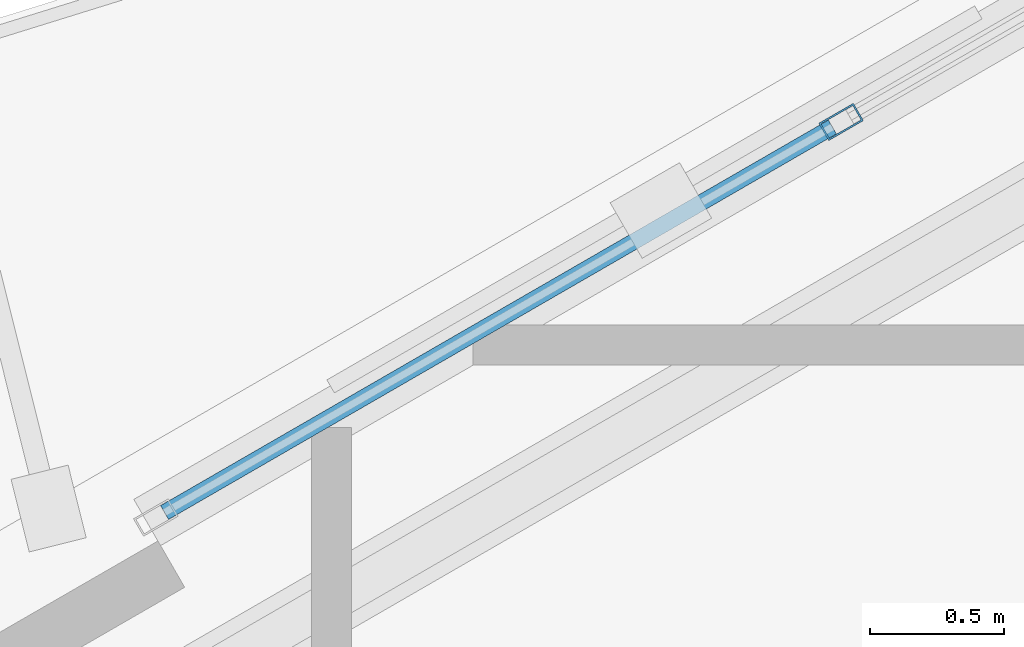
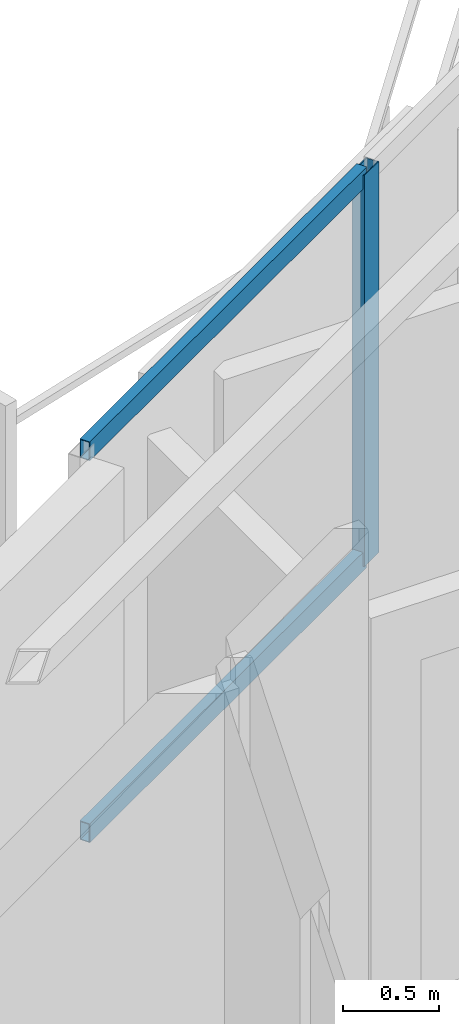
# One storey, part 8 of 22: 3 members, 1 element without a shape of its own.
"""IFC4 building model written with IfcOpenShell, lengths in metres."""

from ifc_helpers import new_model, si_unit, direction, frame, origin, origin_2d, place, context, subcontext, project, spatial, hollow_rectangle, extrude, material, layer, layer_set, material_profile, profile_set, type_object, element, aggregate, save


model = new_model("IFC4")

# Units and contexts
model_context = context("Model", 3, precision=1e-05, world=origin(), true_north=direction((0.0, 1.0)))
body_context = subcontext(model_context, "Body", "Model", "MODEL_VIEW")
ifc_project = project(units=[si_unit("LENGTHUNIT", "METRE"), si_unit("AREAUNIT", "SQUARE_METRE"), si_unit("VOLUMEUNIT", "CUBIC_METRE"), si_unit("PLANEANGLEUNIT", "RADIAN"), si_unit("MASSUNIT", "GRAM", prefix="KILO")], contexts=[model_context])

# Site, building, storey
site_placement = place(None, origin())
site = spatial("IfcSite", under=ifc_project, at=site_placement, CompositionType="ELEMENT")
building_placement = place(site_placement, origin())
building = spatial("IfcBuilding", under=site, at=building_placement, Name="Mersakhor Tower and Convention Hall", CompositionType="ELEMENT")
storey_placement = place(building_placement, frame((0.0, 0.0, 198.60009765625)))
storey = spatial("IfcBuildingStorey", under=building, at=storey_placement, Name="L55", CompositionType="ELEMENT", Elevation=198.60009765625)

# Curtain wall, members
ifc_material_1 = material(Name="Dark solar low-E aluminium curtain wall", Category="aluminium")
ifc_layer = layer(ifc_material_1, 0.169921875)
ifc_layer_set = layer_set([ifc_layer], Name="Dark solar low-E aluminium curtain wall")
curtain_wall_type = type_object("IfcCurtainWallType", Name="CW-SYS-02", PredefinedType="USERDEFINED", material=ifc_layer_set)
curtain_wall_placement = place(storey_placement, origin())
curtain_wall = element("IfcCurtainWall", 1, at=curtain_wall_placement, inside=storey, type_object=curtain_wall_type, Name="L55 Dark-Glass Curtain Wall F1-B2", ObjectType="CURTAIN WALL", PredefinedType="USERDEFINED")
ifc_material_2 = material(Name="Anodised aluminium EN AW-6063 T6", Category="aluminium")
ifc_material_profile_1 = material_profile(ifc_material_2, hollow_rectangle(XDim=0.074951171875, YDim=0.14990234375, WallThickness=0.00634765625, at=origin_2d()), Name="RHS 150x75x6.3")
ifc_profile_set_1 = profile_set([ifc_material_profile_1], Name="Anodised aluminium EN AW-6063 T6")
member_type_1 = type_object("IfcMemberType", Name="CWM-150x75", PredefinedType="MULLION", material=ifc_profile_set_1)
member_1_placement = place(storey_placement, frame((21.906982421875, 36.035888671875, 0.199951171875), z_axis=(0.0, 0.0, 1.0), x_axis=(-0.500007824483, 0.86602088627, 0.0)))
member_1 = element("IfcMember", 2, at=member_1_placement, type_object=member_type_1, Name="CW-02 mullion 2", PredefinedType="MULLION", context=body_context, shape_type="SweptSolid", body=[
    extrude(hollow_rectangle(XDim=0.074951171875, YDim=0.14990234375, WallThickness=0.00634765625, at=origin_2d()), origin(), (0.0, 0.0, 1.0), 2.489990234375),
])
ifc_material_3 = material(Name="Anodised aluminium EN AW-6063 T6", Category="aluminium")
ifc_material_profile_2 = material_profile(ifc_material_3, hollow_rectangle(XDim=0.06005859375, YDim=0.1201171875, WallThickness=0.0048828125, at=origin_2d()), Name="RHS 120x60x5")
ifc_profile_set_2 = profile_set([ifc_material_profile_2], Name="Anodised aluminium EN AW-6063 T6")
member_type_2 = type_object("IfcMemberType", Name="CWT-120x60", PredefinedType="USERDEFINED", material=ifc_profile_set_2)
member_2_placement = place(storey_placement, frame((19.374267578125, 34.573486328125, 0.22998046875), z_axis=(0.86601237176, 0.50002257145, 0.0), x_axis=(-0.50002257145, 0.86601237176, 0.0)))
member_2 = element("IfcMember", 3, at=member_2_placement, type_object=member_type_2, Name="CW-02 transom 1.1", ObjectType="TRANSOM", PredefinedType="USERDEFINED", context=body_context, shape_type="SweptSolid", body=[
    extrude(hollow_rectangle(XDim=0.06005859375, YDim=0.1201171875, WallThickness=0.0048828125, at=origin_2d()), origin(), (0.0, 0.0, 1.0), 2.886962890625),
])
member_3_placement = place(storey_placement, frame((19.374267578125, 34.573486328125, 2.659912109375), z_axis=(0.86601237176, 0.50002257145, 0.0), x_axis=(-0.50002257145, 0.86601237176, 0.0)))
member_3 = element("IfcMember", 4, at=member_3_placement, type_object=member_type_2, Name="CW-02 transom 1.2", ObjectType="TRANSOM", PredefinedType="USERDEFINED", context=body_context, shape_type="SweptSolid", body=[
    extrude(hollow_rectangle(XDim=0.06005859375, YDim=0.1201171875, WallThickness=0.0048828125, at=origin_2d()), origin(), (0.0, 0.0, 1.0), 2.886962890625),
])
aggregate(curtain_wall, [member_1, member_2, member_3])

save(model, "model.ifc")
